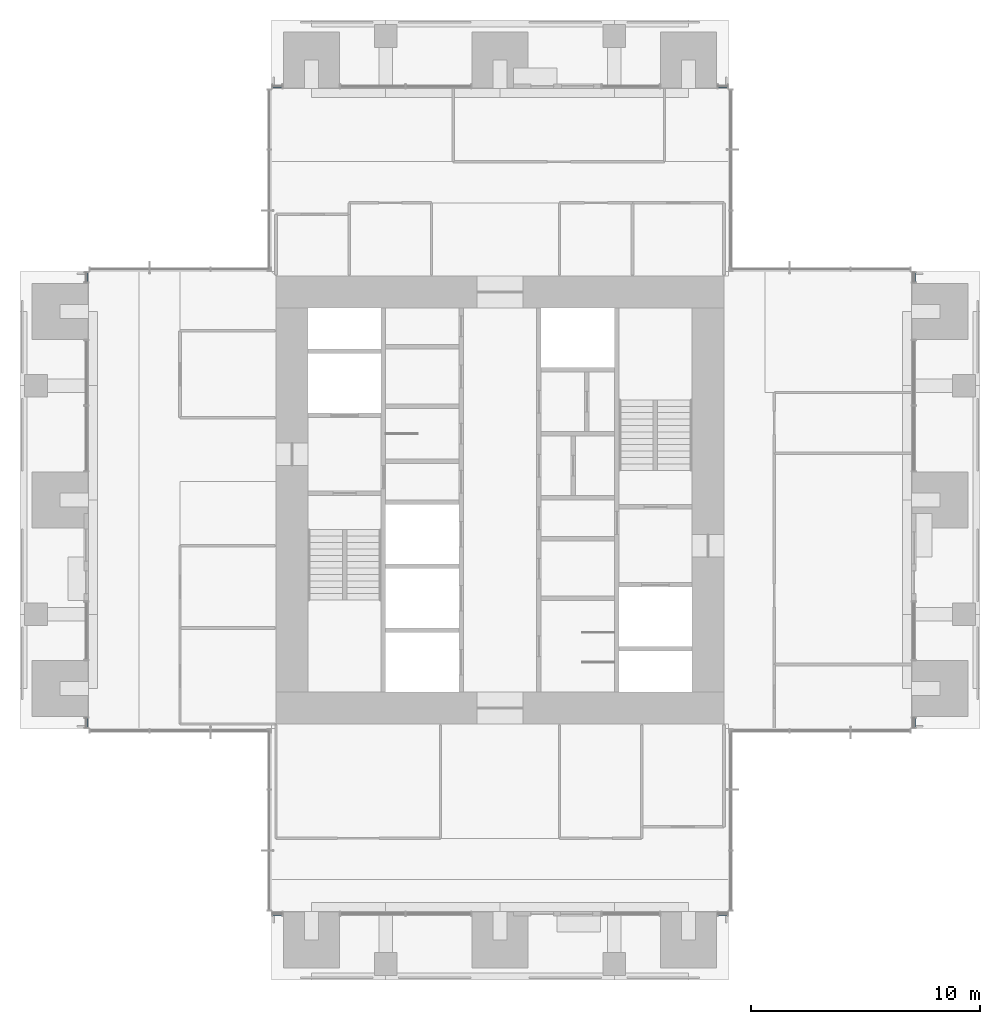
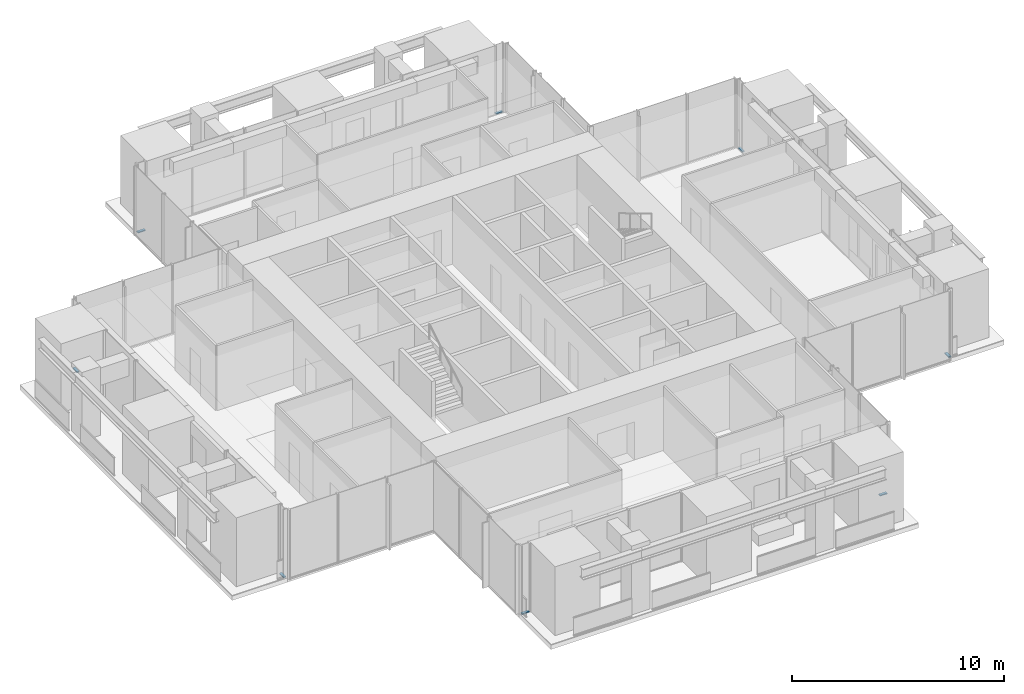
# One storey, part 6 of 17: 8 members, 8 elements without a shape of their own.
"""IFC4 building model written with IfcOpenShell, lengths in metres."""

from ifc_helpers import new_model, si_unit, direction, frame, origin, origin_2d, place, context, subcontext, project, spatial, rectangle, extrude, material, material_profile, profile_set, type_object, element, aggregate, save


model = new_model("IFC4")

# Units and contexts
model_context = context("Model", 3, precision=1e-05, world=origin(), true_north=direction((0.0, 1.0)))
body_context = subcontext(model_context, "Body", "Model", "MODEL_VIEW")
ifc_project = project(units=[si_unit("LENGTHUNIT", "METRE"), si_unit("AREAUNIT", "SQUARE_METRE"), si_unit("VOLUMEUNIT", "CUBIC_METRE"), si_unit("PLANEANGLEUNIT", "RADIAN"), si_unit("MASSUNIT", "GRAM", prefix="KILO")], contexts=[model_context])

# Site, building, storey
site_placement = place(None, origin())
site = spatial("IfcSite", under=ifc_project, at=site_placement, CompositionType="ELEMENT")
building_placement = place(site_placement, origin())
building = spatial("IfcBuilding", under=site, at=building_placement, Name="Svetlomir Tower", CompositionType="ELEMENT")
storey_placement = place(building_placement, frame((0.0, 0.0, 178.5)))
storey = spatial("IfcBuildingStorey", under=building, at=storey_placement, Name="L42", CompositionType="ELEMENT", Elevation=178.5)

# Curtain wall, member
ifc_material_1 = material(Name="Bronze anodised aluminium curtain wall", Category="aluminium")
curtain_wall_type = type_object("IfcCurtainWallType", Name="CURTAIN WALL CW1 TOWER OFFICE", PredefinedType="NOTDEFINED", material=ifc_material_1)
curtain_wall_1_placement = place(storey_placement, origin())
curtain_wall_1 = element("IfcCurtainWall", 1, at=curtain_wall_1_placement, inside=storey, type_object=curtain_wall_type, Name="Curtain wall CW1 L42", PredefinedType="NOTDEFINED")
ifc_material_2 = material(Name="Bronze anodised aluminium", Category="aluminium")
ifc_material_profile = material_profile(ifc_material_2, rectangle(XDim=0.139892578125, YDim=0.06494140625, at=origin_2d()), Name="AL 140x65")
ifc_profile_set = profile_set([ifc_material_profile], Name="Bronze anodised aluminium 6063-T6")
member_type = type_object("IfcMemberType", Name="CW1 TRANSOM 65x140", PredefinedType="USERDEFINED", material=ifc_profile_set)
member_1_placement = place(storey_placement, frame((11.06494140625, 2.89990234375, 0.032470703125), z_axis=(1.0, 0.0, 0.0), x_axis=(0.0, 1.0, 0.0)))
member_1 = element("IfcMember", 2, at=member_1_placement, type_object=member_type, Name="CW1 transom 1.1", ObjectType="TRANSOM", PredefinedType="USERDEFINED", context=body_context, shape_type="SweptSolid", body=[
    extrude(rectangle(XDim=0.139892578125, YDim=0.06494140625, at=origin_2d()), origin(), (0.0, 0.0, 1.0), 0.39501953125),
])
aggregate(curtain_wall_1, [member_1])

curtain_wall_2_placement = place(storey_placement, origin())
curtain_wall_2 = element("IfcCurtainWall", 3, at=curtain_wall_2_placement, inside=storey, type_object=curtain_wall_type, Name="Curtain wall CW1 L42", PredefinedType="NOTDEFINED")
member_2_placement = place(storey_placement, frame((30.5400390625, 2.89990234375, 0.032470703125), z_axis=(1.0, 0.0, 0.0), x_axis=(0.0, 1.0, 0.0)))
member_2 = element("IfcMember", 4, at=member_2_placement, type_object=member_type, Name="CW1 transom 1.1", ObjectType="TRANSOM", PredefinedType="USERDEFINED", context=body_context, shape_type="SweptSolid", body=[
    extrude(rectangle(XDim=0.139892578125, YDim=0.06494140625, at=origin_2d()), origin(), (0.0, 0.0, 1.0), 0.39501953125),
])
aggregate(curtain_wall_2, [member_2])

curtain_wall_3_placement = place(storey_placement, origin())
curtain_wall_3 = element("IfcCurtainWall", 5, at=curtain_wall_3_placement, inside=storey, type_object=curtain_wall_type, Name="Curtain wall CW1 L42", PredefinedType="NOTDEFINED")
member_3_placement = place(storey_placement, frame((39.10009765625, 11.06494140625, 0.032470703125), z_axis=(0.0, 1.0, 0.0), x_axis=(-1.0, 0.0, 0.0)))
member_3 = element("IfcMember", 6, at=member_3_placement, type_object=member_type, Name="CW1 transom 1.1", ObjectType="TRANSOM", PredefinedType="USERDEFINED", context=body_context, shape_type="SweptSolid", body=[
    extrude(rectangle(XDim=0.139892578125, YDim=0.06494140625, at=origin_2d()), origin(), (0.0, 0.0, 1.0), 0.39501953125),
])
aggregate(curtain_wall_3, [member_3])

curtain_wall_4_placement = place(storey_placement, origin())
curtain_wall_4 = element("IfcCurtainWall", 7, at=curtain_wall_4_placement, inside=storey, type_object=curtain_wall_type, Name="Curtain wall CW1 L42", PredefinedType="NOTDEFINED")
member_4_placement = place(storey_placement, frame((39.10009765625, 30.5400390625, 0.032470703125), z_axis=(0.0, 1.0, 0.0), x_axis=(-1.0, 0.0, 0.0)))
member_4 = element("IfcMember", 8, at=member_4_placement, type_object=member_type, Name="CW1 transom 1.1", ObjectType="TRANSOM", PredefinedType="USERDEFINED", context=body_context, shape_type="SweptSolid", body=[
    extrude(rectangle(XDim=0.139892578125, YDim=0.06494140625, at=origin_2d()), origin(), (0.0, 0.0, 1.0), 0.39501953125),
])
aggregate(curtain_wall_4, [member_4])

curtain_wall_5_placement = place(storey_placement, origin())
curtain_wall_5 = element("IfcCurtainWall", 9, at=curtain_wall_5_placement, inside=storey, type_object=curtain_wall_type, Name="Curtain wall CW1 L42", PredefinedType="NOTDEFINED")
member_5_placement = place(storey_placement, frame((30.93505859375, 39.10009765625, 0.032470703125), z_axis=(-1.0, 0.0, 0.0), x_axis=(0.0, -1.0, 0.0)))
member_5 = element("IfcMember", 10, at=member_5_placement, type_object=member_type, Name="CW1 transom 1.1", ObjectType="TRANSOM", PredefinedType="USERDEFINED", context=body_context, shape_type="SweptSolid", body=[
    extrude(rectangle(XDim=0.139892578125, YDim=0.06494140625, at=origin_2d()), origin(), (0.0, 0.0, 1.0), 0.39501953125),
])
aggregate(curtain_wall_5, [member_5])

curtain_wall_6_placement = place(storey_placement, origin())
curtain_wall_6 = element("IfcCurtainWall", 11, at=curtain_wall_6_placement, inside=storey, type_object=curtain_wall_type, Name="Curtain wall CW1 L42", PredefinedType="NOTDEFINED")
member_6_placement = place(storey_placement, frame((11.4599609375, 39.10009765625, 0.032470703125), z_axis=(-1.0, 0.0, 0.0), x_axis=(0.0, -1.0, 0.0)))
member_6 = element("IfcMember", 12, at=member_6_placement, type_object=member_type, Name="CW1 transom 1.1", ObjectType="TRANSOM", PredefinedType="USERDEFINED", context=body_context, shape_type="SweptSolid", body=[
    extrude(rectangle(XDim=0.139892578125, YDim=0.06494140625, at=origin_2d()), origin(), (0.0, 0.0, 1.0), 0.39501953125),
])
aggregate(curtain_wall_6, [member_6])

curtain_wall_7_placement = place(storey_placement, origin())
curtain_wall_7 = element("IfcCurtainWall", 13, at=curtain_wall_7_placement, inside=storey, type_object=curtain_wall_type, Name="Curtain wall CW1 L42", PredefinedType="NOTDEFINED")
member_7_placement = place(storey_placement, frame((2.89990234375, 30.93505859375, 0.032470703125), z_axis=(0.0, -1.0, 0.0), x_axis=(1.0, 0.0, 0.0)))
member_7 = element("IfcMember", 14, at=member_7_placement, type_object=member_type, Name="CW1 transom 1.1", ObjectType="TRANSOM", PredefinedType="USERDEFINED", context=body_context, shape_type="SweptSolid", body=[
    extrude(rectangle(XDim=0.139892578125, YDim=0.06494140625, at=origin_2d()), origin(), (0.0, 0.0, 1.0), 0.39501953125),
])
aggregate(curtain_wall_7, [member_7])

curtain_wall_8_placement = place(storey_placement, origin())
curtain_wall_8 = element("IfcCurtainWall", 15, at=curtain_wall_8_placement, inside=storey, type_object=curtain_wall_type, Name="Curtain wall CW1 L42", PredefinedType="NOTDEFINED")
member_8_placement = place(storey_placement, frame((2.89990234375, 11.4599609375, 0.032470703125), z_axis=(0.0, -1.0, 0.0), x_axis=(1.0, 0.0, 0.0)))
member_8 = element("IfcMember", 16, at=member_8_placement, type_object=member_type, Name="CW1 transom 1.1", ObjectType="TRANSOM", PredefinedType="USERDEFINED", context=body_context, shape_type="SweptSolid", body=[
    extrude(rectangle(XDim=0.139892578125, YDim=0.06494140625, at=origin_2d()), origin(), (0.0, 0.0, 1.0), 0.39501953125),
])
aggregate(curtain_wall_8, [member_8])

save(model, "model.ifc")
